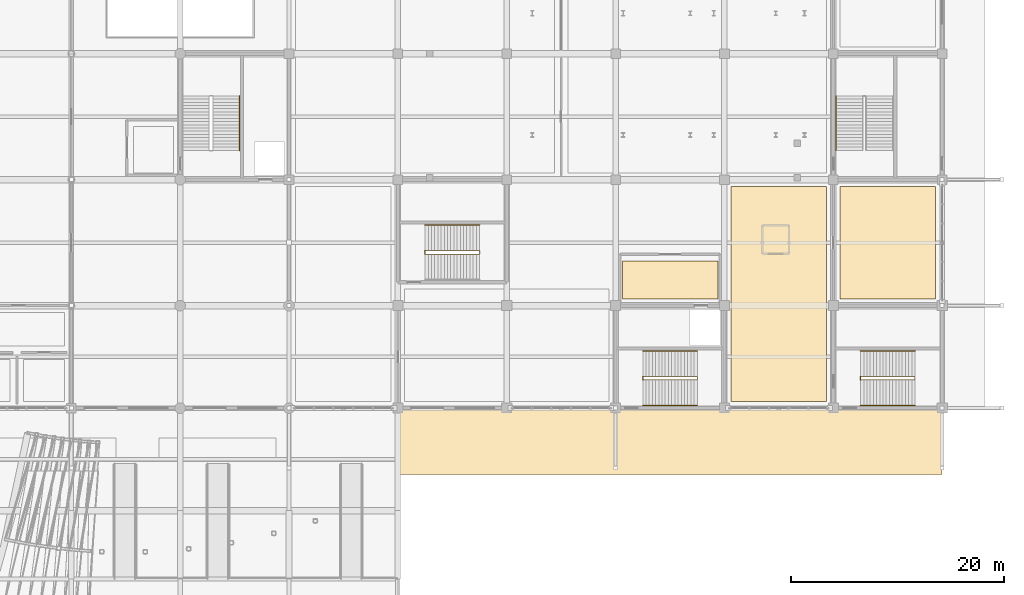
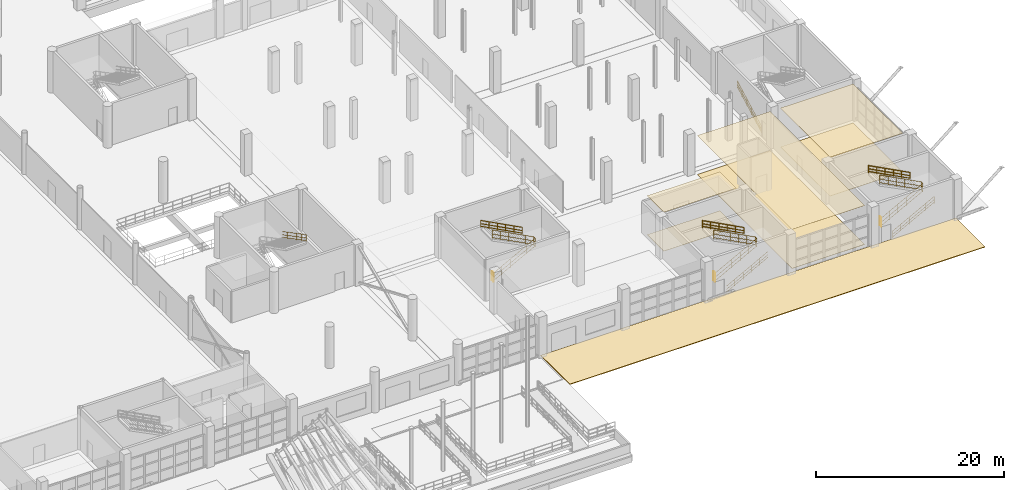
# One storey, part 118 of 124: 13 railings, 7 coverings.
"""IFC4 building model written with IfcOpenShell, lengths in metres."""

from ifc_helpers import new_model, si_unit, direction, frame, origin, origin_2d, place, context, subcontext, project, spatial, polyline, circle, outline, extrude, material, layer, layer_set, type_object, element, save


model = new_model("IFC4")

# Units and contexts
model_context = context("Model", 3, precision=1e-05, world=origin(), true_north=direction((0.0, 1.0)))
body_context = subcontext(model_context, "Body", "Model", "MODEL_VIEW")
ifc_project = project(units=[si_unit("LENGTHUNIT", "METRE"), si_unit("AREAUNIT", "SQUARE_METRE"), si_unit("VOLUMEUNIT", "CUBIC_METRE"), si_unit("PLANEANGLEUNIT", "RADIAN"), si_unit("MASSUNIT", "GRAM", prefix="KILO")], contexts=[model_context])

# Site, building, storey
site_placement = place(None, origin())
site = spatial("IfcSite", under=ifc_project, at=site_placement, CompositionType="ELEMENT")
building_placement = place(site_placement, origin())
building = spatial("IfcBuilding", under=site, at=building_placement, Name="Brelvane Convention Centre", CompositionType="ELEMENT")
storey_placement = place(building_placement, origin())
storey = spatial("IfcBuildingStorey", under=building, at=storey_placement, Name="L00", CompositionType="ELEMENT", Elevation=0.0)

# Coverings
ifc_material_1 = material(Name="Moisture-Resistant Acoustic Gypsum Ceiling Tile Grade A")
ifc_layer_1 = layer(ifc_material_1, 0.01806640625)
ifc_layer_set_1 = layer_set([ifc_layer_1], Name="Moisture-Resistant Acoustic Gypsum Ceiling Tile Grade A")
covering_type_1 = type_object("IfcCoveringType", Name="Interior Finish CL-GYP-18", PredefinedType="CEILING", material=ifc_layer_set_1)
covering_1_placement = place(storey_placement, frame((0.0, 0.0, 5.06201171875)))
element("IfcCovering", 1, at=covering_1_placement, inside=storey, type_object=covering_type_1, Name="Firefighting Lift Lobby C8 Acoustic Ceiling (CL-GYP-18)", PredefinedType="CEILING", context=body_context, shape_type="SweptSolid", body=[
    extrude(outline(polyline([(194.429931640625, 29.429931640625), (203.3701171875, 29.429931640625), (203.3701171875, 32.969970703125), (194.429931640625, 32.969970703125), (194.429931640625, 29.429931640625)])), origin(), (0.0, 0.0, 1.0), 0.01806640625),
])
ifc_material_2 = material(Name="Moisture-Resistant Acoustic Gypsum Ceiling Tile Grade A")
ifc_layer_2 = layer(ifc_material_2, 0.02490234375)
ifc_layer_set_2 = layer_set([ifc_layer_2], Name="Moisture-Resistant Acoustic Gypsum Ceiling Tile Grade A")
covering_type_2 = type_object("IfcCoveringType", Name="Interior Finish CL-GYP-25", PredefinedType="CEILING", material=ifc_layer_set_2)
covering_2_placement = place(storey_placement, frame((0.0, 0.0, 5.054931640625)))
element("IfcCovering", 2, at=covering_2_placement, inside=storey, type_object=covering_type_2, Name="Business Centre Concierge Hall Acoustic Ceiling (CL-GYP-25)", PredefinedType="CEILING", context=body_context, shape_type="SweptSolid", body=[
    extrude(outline(polyline([(204.6298828125, 19.830078125), (213.570068359375, 19.830078125), (213.570068359375, 39.969970703125), (204.6298828125, 39.969970703125), (204.6298828125, 19.830078125)])), origin(), (0.0, 0.0, 1.0), 0.025146484375),
])
ifc_material_3 = material(Name="Moisture-Resistant Acoustic Gypsum Ceiling Tile Grade A")
ifc_layer_3 = layer(ifc_material_3, 0.033935546875)
ifc_layer_set_3 = layer_set([ifc_layer_3], Name="Moisture-Resistant Acoustic Gypsum Ceiling Tile Grade A")
covering_type_3 = type_object("IfcCoveringType", Name="Interior Finish CL-GYP-34", PredefinedType="CEILING", material=ifc_layer_set_3)
covering_3_placement = place(storey_placement, frame((0.0, 0.0, 5.0458984375)))
element("IfcCovering", 3, at=covering_3_placement, inside=storey, type_object=covering_type_3, Name="Convention Bookshop and Pharmacy Acoustic Ceiling (CL-GYP-34)", PredefinedType="CEILING", context=body_context, shape_type="SweptSolid", body=[
    extrude(outline(polyline([(214.830078125, 29.429931640625), (223.77001953125, 29.429931640625), (223.77001953125, 39.969970703125), (214.830078125, 39.969970703125), (214.830078125, 29.429931640625)])), origin(), (0.0, 0.0, 1.0), 0.0341796875),
])
ifc_material_4 = material(Name="Solution-Dyed Heavy Contract Wool Carpet Class 1")
ifc_layer_4 = layer(ifc_material_4, 0.02197265625)
ifc_layer_set_4 = layer_set([ifc_layer_4], Name="Solution-Dyed Heavy Contract Wool Carpet Class 1")
covering_type_4 = type_object("IfcCoveringType", Name="Interior Finish FL-CPT-22", PredefinedType="FLOORING", material=ifc_layer_set_4)
covering_4_placement = place(storey_placement, origin())
element("IfcCovering", 4, at=covering_4_placement, inside=storey, type_object=covering_type_4, Name="Firefighting Lift Lobby C8 Floor Finish (FL-CPT-22)", PredefinedType="FLOORING", context=body_context, shape_type="SweptSolid", body=[
    extrude(outline(polyline([(194.429931640625, 29.429931640625), (203.3701171875, 29.429931640625), (203.3701171875, 32.969970703125), (194.429931640625, 32.969970703125), (194.429931640625, 29.429931640625)])), origin(), (0.0, 0.0, 1.0), 0.02197265625),
])
ifc_material_5 = material(Name="Solution-Dyed Heavy Contract Wool Carpet Class 1")
ifc_layer_5 = layer(ifc_material_5, 0.028076171875)
ifc_layer_set_5 = layer_set([ifc_layer_5], Name="Solution-Dyed Heavy Contract Wool Carpet Class 1")
covering_type_5 = type_object("IfcCoveringType", Name="Interior Finish FL-CPT-28", PredefinedType="FLOORING", material=ifc_layer_set_5)
covering_5_placement = place(storey_placement, origin())
element("IfcCovering", 5, at=covering_5_placement, inside=storey, type_object=covering_type_5, Name="Business Centre Concierge Hall Floor Finish (FL-CPT-28)", PredefinedType="FLOORING", context=body_context, shape_type="SweptSolid", body=[
    extrude(outline(polyline([(204.6298828125, 19.830078125), (213.570068359375, 19.830078125), (213.570068359375, 39.969970703125), (204.6298828125, 39.969970703125), (204.6298828125, 19.830078125)])), origin(), (0.0, 0.0, 1.0), 0.028076171875),
])
ifc_material_6 = material(Name="Polished Basalt-Aggregate Terrazzo Screed Concrete M30", Category="masonry")
ifc_layer_6 = layer(ifc_material_6, 0.031982421875)
ifc_layer_set_6 = layer_set([ifc_layer_6], Name="Polished Basalt-Aggregate Terrazzo Screed Concrete M30")
covering_type_6 = type_object("IfcCoveringType", Name="Interior Finish FL-STN-32", PredefinedType="FLOORING", material=ifc_layer_set_6)
covering_6_placement = place(storey_placement, origin())
element("IfcCovering", 6, at=covering_6_placement, inside=storey, type_object=covering_type_6, Name="Convention Bookshop and Pharmacy Floor Finish (FL-STN-32)", PredefinedType="FLOORING", context=body_context, shape_type="SweptSolid", body=[
    extrude(outline(polyline([(214.830078125, 29.429931640625), (223.77001953125, 29.429931640625), (223.77001953125, 39.969970703125), (214.830078125, 39.969970703125), (214.830078125, 29.429931640625)])), origin(), (0.0, 0.0, 1.0), 0.031982421875),
])
ifc_material_7 = material(Name="Concrete M40", Category="concrete")
ifc_layer_7 = layer(ifc_material_7, 0.080078125)
ifc_layer_set_7 = layer_set([ifc_layer_7], Name="Concrete M40")
covering_type_7 = type_object("IfcCoveringType", Name="Outdoor Plaza Paving PV-80", PredefinedType="USERDEFINED", material=ifc_layer_set_7)
covering_7_placement = place(storey_placement, origin())
element("IfcCovering", 7, at=covering_7_placement, inside=storey, type_object=covering_type_7, Name="Outdoor Arrival Plaza Paving SOUTH-FORECOURT-E", ObjectType="PAVING", PredefinedType="USERDEFINED", context=body_context, shape_type="SweptSolid", body=[
    extrude(outline(polyline([(173.39990234375, 13.0), (224.39990234375, 13.0), (224.39990234375, 19.199951171875), (173.39990234375, 19.199951171875), (173.39990234375, 13.0)])), origin(), (0.0, 0.0, 1.0), 0.080078125),
])

# Railings
ifc_material_8 = material(Name="Steel E350 (350 MPa)", Category="steel")
railing_type_1 = type_object("IfcRailingType", Name="Stair Railing GR-ST-1", PredefinedType="GUARDRAIL", material=ifc_material_8)
railing_1_placement = place(storey_placement, frame((196.35009765625, 21.840087890625, -0.02001953125)))
element("IfcRailing", 8, at=railing_1_placement, inside=storey, type_object=railing_type_1, Name="Stair ST-08 L00 Inner Well Guard", PredefinedType="GUARDRAIL", context=body_context, shape_type="SweptSolid", body=[
    extrude(circle(Radius=0.02392578125, at=origin_2d()), frame((0.0, 0.0, 1.1259765625), z_axis=(0.88234943334, 0.0, 0.470594812429), x_axis=(0.0, 1.0, 0.0)), (0.0, 0.0, 1.0), 5.77978515625),
    extrude(circle(Radius=0.02392578125, at=origin_2d()), frame((0.0, 0.0, 0.597900390625), z_axis=(0.88234943334, 0.0, 0.470594812429), x_axis=(0.0, 1.0, 0.0)), (0.0, 0.0, 1.0), 5.77978515625),
    extrude(circle(Radius=0.02392578125, at=origin_2d()), frame((0.0, 0.0, 0.139892578125), z_axis=(0.88234943334, 0.0, 0.470594812429), x_axis=(0.0, 1.0, 0.0)), (0.0, 0.0, 1.0), 5.77978515625),
    extrude(circle(Radius=0.02392578125, at=origin_2d()), frame((5.099853515625, 0.0, 3.845947265625), z_axis=(0.0, 1.0, 0.0), x_axis=(-1.0, 0.0, 0.0)), (0.0, 0.0, 1.0), 0.31982421875),
    extrude(circle(Radius=0.02392578125, at=origin_2d()), frame((5.099853515625, 0.0, 3.31787109375), z_axis=(0.0, 1.0, 0.0), x_axis=(-1.0, 0.0, 0.0)), (0.0, 0.0, 1.0), 0.31982421875),
    extrude(circle(Radius=0.02392578125, at=origin_2d()), frame((5.099853515625, 0.0, 2.85986328125), z_axis=(0.0, 1.0, 0.0), x_axis=(-1.0, 0.0, 0.0)), (0.0, 0.0, 1.0), 0.31982421875),
    extrude(circle(Radius=0.02392578125, at=origin_2d()), frame((5.099853515625, 0.31982421875, 3.845947265625), z_axis=(-0.885218631674, 0.0, 0.465175207999), x_axis=(0.0, -1.0, 0.0)), (0.0, 0.0, 1.0), 5.76123046875),
    extrude(circle(Radius=0.02392578125, at=origin_2d()), frame((5.099853515625, 0.31982421875, 3.31787109375), z_axis=(-0.885218631674, 0.0, 0.465175207999), x_axis=(0.0, -1.0, 0.0)), (0.0, 0.0, 1.0), 5.76123046875),
    extrude(circle(Radius=0.02392578125, at=origin_2d()), frame((5.099853515625, 0.31982421875, 2.85986328125), z_axis=(-0.885218631674, 0.0, 0.465175207999), x_axis=(0.0, -1.0, 0.0)), (0.0, 0.0, 1.0), 5.76123046875),
    extrude(circle(Radius=0.02099609375, at=origin_2d()), origin(), (0.0, 0.0, 1.0), 1.101806640625),
    extrude(circle(Radius=0.02099609375, at=origin_2d()), frame((1.02001953125, 0.0, 0.5439453125)), (0.0, 0.0, 1.0), 1.101806640625),
    extrude(circle(Radius=0.02099609375, at=origin_2d()), frame((2.0400390625, 0.0, 1.087890625)), (0.0, 0.0, 1.0), 1.101806640625),
    extrude(circle(Radius=0.02099609375, at=origin_2d()), frame((3.059814453125, 0.0, 1.632080078125)), (0.0, 0.0, 1.0), 1.101806640625),
    extrude(circle(Radius=0.02099609375, at=origin_2d()), frame((4.079833984375, 0.0, 2.176025390625)), (0.0, 0.0, 1.0), 1.101806640625),
    extrude(circle(Radius=0.02099609375, at=origin_2d()), frame((5.099853515625, 0.0, 2.719970703125)), (0.0, 0.0, 1.0), 1.101806640625),
    extrude(circle(Radius=0.02099609375, at=origin_2d()), frame((5.099853515625, 0.31982421875, 2.719970703125)), (0.0, 0.0, 1.0), 1.101806640625),
    extrude(circle(Radius=0.02099609375, at=origin_2d()), frame((4.079833984375, 0.31982421875, 3.255859375)), (0.0, 0.0, 1.0), 1.101806640625),
    extrude(circle(Radius=0.02099609375, at=origin_2d()), frame((3.059814453125, 0.31982421875, 3.7919921875)), (0.0, 0.0, 1.0), 1.101806640625),
    extrude(circle(Radius=0.02099609375, at=origin_2d()), frame((2.0400390625, 0.31982421875, 4.327880859375)), (0.0, 0.0, 1.0), 1.101806640625),
    extrude(circle(Radius=0.02099609375, at=origin_2d()), frame((1.02001953125, 0.31982421875, 4.864013671875)), (0.0, 0.0, 1.0), 1.101806640625),
    extrude(circle(Radius=0.02099609375, at=origin_2d()), frame((0.0, 0.31982421875, 5.39990234375)), (0.0, 0.0, 1.0), 1.101806640625),
])
railing_2_placement = place(storey_placement, frame((216.75, 21.840087890625, -0.02001953125)))
element("IfcRailing", 9, at=railing_2_placement, inside=storey, type_object=railing_type_1, Name="Stair ST-14 L00 Inner Well Guard", PredefinedType="GUARDRAIL", context=body_context, shape_type="SweptSolid", body=[
    extrude(circle(Radius=0.02392578125, at=origin_2d()), frame((0.0, 0.0, 1.1259765625), z_axis=(0.882358787245, 0.0, 0.470577273753), x_axis=(0.0, 1.0, 0.0)), (0.0, 0.0, 1.0), 5.780029296875),
    extrude(circle(Radius=0.02392578125, at=origin_2d()), frame((0.0, 0.0, 0.597900390625), z_axis=(0.882358787245, 0.0, 0.470577273753), x_axis=(0.0, 1.0, 0.0)), (0.0, 0.0, 1.0), 5.780029296875),
    extrude(circle(Radius=0.02392578125, at=origin_2d()), frame((0.0, 0.0, 0.139892578125), z_axis=(0.882358787245, 0.0, 0.470577273753), x_axis=(0.0, 1.0, 0.0)), (0.0, 0.0, 1.0), 5.780029296875),
    extrude(circle(Radius=0.02392578125, at=origin_2d()), frame((5.10009765625, 0.0, 3.845947265625), z_axis=(0.0, 1.0, 0.0), x_axis=(-1.0, 0.0, 0.0)), (0.0, 0.0, 1.0), 0.31982421875),
    extrude(circle(Radius=0.02392578125, at=origin_2d()), frame((5.10009765625, 0.0, 3.31787109375), z_axis=(0.0, 1.0, 0.0), x_axis=(-1.0, 0.0, 0.0)), (0.0, 0.0, 1.0), 0.31982421875),
    extrude(circle(Radius=0.02392578125, at=origin_2d()), frame((5.10009765625, 0.0, 2.85986328125), z_axis=(0.0, 1.0, 0.0), x_axis=(-1.0, 0.0, 0.0)), (0.0, 0.0, 1.0), 0.31982421875),
    extrude(circle(Radius=0.02392578125, at=origin_2d()), frame((5.10009765625, 0.31982421875, 3.845947265625), z_axis=(-0.885227801088, 0.0, 0.465157758379), x_axis=(0.0, -1.0, 0.0)), (0.0, 0.0, 1.0), 5.76123046875),
    extrude(circle(Radius=0.02392578125, at=origin_2d()), frame((5.10009765625, 0.31982421875, 3.31787109375), z_axis=(-0.885227801088, 0.0, 0.465157758379), x_axis=(0.0, -1.0, 0.0)), (0.0, 0.0, 1.0), 5.76123046875),
    extrude(circle(Radius=0.02392578125, at=origin_2d()), frame((5.10009765625, 0.31982421875, 2.85986328125), z_axis=(-0.885227801088, 0.0, 0.465157758379), x_axis=(0.0, -1.0, 0.0)), (0.0, 0.0, 1.0), 5.76123046875),
    extrude(circle(Radius=0.02099609375, at=origin_2d()), origin(), (0.0, 0.0, 1.0), 1.101806640625),
    extrude(circle(Radius=0.02099609375, at=origin_2d()), frame((1.02001953125, 0.0, 0.5439453125)), (0.0, 0.0, 1.0), 1.101806640625),
    extrude(circle(Radius=0.02099609375, at=origin_2d()), frame((2.0400390625, 0.0, 1.087890625)), (0.0, 0.0, 1.0), 1.101806640625),
    extrude(circle(Radius=0.02099609375, at=origin_2d()), frame((3.06005859375, 0.0, 1.632080078125)), (0.0, 0.0, 1.0), 1.101806640625),
    extrude(circle(Radius=0.02099609375, at=origin_2d()), frame((4.080078125, 0.0, 2.176025390625)), (0.0, 0.0, 1.0), 1.101806640625),
    extrude(circle(Radius=0.02099609375, at=origin_2d()), frame((5.10009765625, 0.0, 2.719970703125)), (0.0, 0.0, 1.0), 1.101806640625),
    extrude(circle(Radius=0.02099609375, at=origin_2d()), frame((5.10009765625, 0.31982421875, 2.719970703125)), (0.0, 0.0, 1.0), 1.101806640625),
    extrude(circle(Radius=0.02099609375, at=origin_2d()), frame((4.080078125, 0.31982421875, 3.255859375)), (0.0, 0.0, 1.0), 1.101806640625),
    extrude(circle(Radius=0.02099609375, at=origin_2d()), frame((3.06005859375, 0.31982421875, 3.7919921875)), (0.0, 0.0, 1.0), 1.101806640625),
    extrude(circle(Radius=0.02099609375, at=origin_2d()), frame((2.0400390625, 0.31982421875, 4.327880859375)), (0.0, 0.0, 1.0), 1.101806640625),
    extrude(circle(Radius=0.02099609375, at=origin_2d()), frame((1.02001953125, 0.31982421875, 4.864013671875)), (0.0, 0.0, 1.0), 1.101806640625),
    extrude(circle(Radius=0.02099609375, at=origin_2d()), frame((0.0, 0.31982421875, 5.39990234375)), (0.0, 0.0, 1.0), 1.101806640625),
])
railing_3_placement = place(storey_placement, frame((175.949951171875, 33.639892578125, -0.02001953125)))
element("IfcRailing", 10, at=railing_3_placement, inside=storey, type_object=railing_type_1, Name="Stair ST-18 L00 Inner Well Guard", PredefinedType="GUARDRAIL", context=body_context, shape_type="SweptSolid", body=[
    extrude(circle(Radius=0.02392578125, at=origin_2d()), frame((0.0, 0.0, 1.1259765625), z_axis=(0.882358787245, 0.0, 0.470577273753), x_axis=(0.0, 1.0, 0.0)), (0.0, 0.0, 1.0), 5.780029296875),
    extrude(circle(Radius=0.02392578125, at=origin_2d()), frame((0.0, 0.0, 0.597900390625), z_axis=(0.882358787245, 0.0, 0.470577273753), x_axis=(0.0, 1.0, 0.0)), (0.0, 0.0, 1.0), 5.780029296875),
    extrude(circle(Radius=0.02392578125, at=origin_2d()), frame((0.0, 0.0, 0.139892578125), z_axis=(0.882358787245, 0.0, 0.470577273753), x_axis=(0.0, 1.0, 0.0)), (0.0, 0.0, 1.0), 5.780029296875),
    extrude(circle(Radius=0.02392578125, at=origin_2d()), frame((5.10009765625, 0.0, 3.845947265625), z_axis=(0.0, 1.0, 0.0), x_axis=(-1.0, 0.0, 0.0)), (0.0, 0.0, 1.0), 0.320068359375),
    extrude(circle(Radius=0.02392578125, at=origin_2d()), frame((5.10009765625, 0.0, 3.31787109375), z_axis=(0.0, 1.0, 0.0), x_axis=(-1.0, 0.0, 0.0)), (0.0, 0.0, 1.0), 0.320068359375),
    extrude(circle(Radius=0.02392578125, at=origin_2d()), frame((5.10009765625, 0.0, 2.85986328125), z_axis=(0.0, 1.0, 0.0), x_axis=(-1.0, 0.0, 0.0)), (0.0, 0.0, 1.0), 0.320068359375),
    extrude(circle(Radius=0.02392578125, at=origin_2d()), frame((5.10009765625, 0.320068359375, 3.845947265625), z_axis=(-0.885227801088, 0.0, 0.465157758379), x_axis=(0.0, -1.0, 0.0)), (0.0, 0.0, 1.0), 5.76123046875),
    extrude(circle(Radius=0.02392578125, at=origin_2d()), frame((5.10009765625, 0.320068359375, 3.31787109375), z_axis=(-0.885227801088, 0.0, 0.465157758379), x_axis=(0.0, -1.0, 0.0)), (0.0, 0.0, 1.0), 5.76123046875),
    extrude(circle(Radius=0.02392578125, at=origin_2d()), frame((5.10009765625, 0.320068359375, 2.85986328125), z_axis=(-0.885227801088, 0.0, 0.465157758379), x_axis=(0.0, -1.0, 0.0)), (0.0, 0.0, 1.0), 5.76123046875),
    extrude(circle(Radius=0.02099609375, at=origin_2d()), origin(), (0.0, 0.0, 1.0), 1.101806640625),
    extrude(circle(Radius=0.02099609375, at=origin_2d()), frame((1.02001953125, 0.0, 0.5439453125)), (0.0, 0.0, 1.0), 1.101806640625),
    extrude(circle(Radius=0.02099609375, at=origin_2d()), frame((2.0400390625, 0.0, 1.087890625)), (0.0, 0.0, 1.0), 1.101806640625),
    extrude(circle(Radius=0.02099609375, at=origin_2d()), frame((3.06005859375, 0.0, 1.632080078125)), (0.0, 0.0, 1.0), 1.101806640625),
    extrude(circle(Radius=0.02099609375, at=origin_2d()), frame((4.080078125, 0.0, 2.176025390625)), (0.0, 0.0, 1.0), 1.101806640625),
    extrude(circle(Radius=0.02099609375, at=origin_2d()), frame((5.10009765625, 0.0, 2.719970703125)), (0.0, 0.0, 1.0), 1.101806640625),
    extrude(circle(Radius=0.02099609375, at=origin_2d()), frame((5.10009765625, 0.320068359375, 2.719970703125)), (0.0, 0.0, 1.0), 1.101806640625),
    extrude(circle(Radius=0.02099609375, at=origin_2d()), frame((4.080078125, 0.320068359375, 3.255859375)), (0.0, 0.0, 1.0), 1.101806640625),
    extrude(circle(Radius=0.02099609375, at=origin_2d()), frame((3.06005859375, 0.320068359375, 3.7919921875)), (0.0, 0.0, 1.0), 1.101806640625),
    extrude(circle(Radius=0.02099609375, at=origin_2d()), frame((2.0400390625, 0.320068359375, 4.327880859375)), (0.0, 0.0, 1.0), 1.101806640625),
    extrude(circle(Radius=0.02099609375, at=origin_2d()), frame((1.02001953125, 0.320068359375, 4.864013671875)), (0.0, 0.0, 1.0), 1.101806640625),
    extrude(circle(Radius=0.02099609375, at=origin_2d()), frame((0.0, 0.320068359375, 5.39990234375)), (0.0, 0.0, 1.0), 1.101806640625),
])
ifc_material_9 = material(Name="Steel E350 (350 MPa)", Category="steel")
railing_type_2 = type_object("IfcRailingType", Name="Stair Railing GR-ST-2", PredefinedType="GUARDRAIL", material=ifc_material_9)
for number, where, name in (
    (11, (196.35009765625, 21.840087890625, -0.02001953125), "Stair ST-08 L00 Landing Well Guard"),
    (12, (216.75, 21.840087890625, -0.02001953125), "Stair ST-14 L00 Landing Well Guard"),
):
    element("IfcRailing", number, at=place(storey_placement, frame(where)), inside=storey, type_object=railing_type_2, Name=name, PredefinedType="GUARDRAIL", context=body_context, shape_type="SweptSolid", body=[
        extrude(circle(Radius=0.02392578125, at=origin_2d()), frame((0.0, 0.0, 1.15576171875), z_axis=(0.0, 1.0, 0.0), x_axis=(-1.0, 0.0, 0.0)), (0.0, 0.0, 1.0), 0.31982421875),
        extrude(circle(Radius=0.02392578125, at=origin_2d()), frame((0.0, 0.0, 0.613525390625), z_axis=(0.0, 1.0, 0.0), x_axis=(-1.0, 0.0, 0.0)), (0.0, 0.0, 1.0), 0.31982421875),
        extrude(circle(Radius=0.02392578125, at=origin_2d()), frame((0.0, 0.0, 0.139892578125), z_axis=(0.0, 1.0, 0.0), x_axis=(-1.0, 0.0, 0.0)), (0.0, 0.0, 1.0), 0.31982421875),
        extrude(circle(Radius=0.02099609375, at=origin_2d()), origin(), (0.0, 0.0, 1.0), 1.1318359375),
        extrude(circle(Radius=0.02099609375, at=origin_2d()), frame((0.0, 0.31982421875, 0.0)), (0.0, 0.0, 1.0), 1.1318359375),
    ])
railing_4_placement = place(storey_placement, frame((175.949951171875, 33.639892578125, -0.02001953125)))
element("IfcRailing", 13, at=railing_4_placement, inside=storey, type_object=railing_type_2, Name="Stair ST-18 L00 Landing Well Guard", PredefinedType="GUARDRAIL", context=body_context, shape_type="SweptSolid", body=[
    extrude(circle(Radius=0.02392578125, at=origin_2d()), frame((0.0, 0.0, 1.15576171875), z_axis=(0.0, 1.0, 0.0), x_axis=(-1.0, 0.0, 0.0)), (0.0, 0.0, 1.0), 0.320068359375),
    extrude(circle(Radius=0.02392578125, at=origin_2d()), frame((0.0, 0.0, 0.613525390625), z_axis=(0.0, 1.0, 0.0), x_axis=(-1.0, 0.0, 0.0)), (0.0, 0.0, 1.0), 0.320068359375),
    extrude(circle(Radius=0.02392578125, at=origin_2d()), frame((0.0, 0.0, 0.139892578125), z_axis=(0.0, 1.0, 0.0), x_axis=(-1.0, 0.0, 0.0)), (0.0, 0.0, 1.0), 0.320068359375),
    extrude(circle(Radius=0.02099609375, at=origin_2d()), origin(), (0.0, 0.0, 1.0), 1.1318359375),
    extrude(circle(Radius=0.02099609375, at=origin_2d()), frame((0.0, 0.320068359375, 0.0)), (0.0, 0.0, 1.0), 1.1318359375),
])
ifc_material_10 = material(Name="Steel E350 (350 MPa)", Category="steel")
railing_type_3 = type_object("IfcRailingType", Name="Stair Railing HR-ST-1", PredefinedType="HANDRAIL", material=ifc_material_10)
railing_5_placement = place(storey_placement, frame((158.570068359375, 48.449951171875, 2.699951171875)))
element("IfcRailing", 14, at=railing_5_placement, inside=storey, type_object=railing_type_3, Name="Stair ST-03 L00 Outer Handrail F2", PredefinedType="HANDRAIL", context=body_context, shape_type="SweptSolid", body=[
    extrude(circle(Radius=0.02392578125, at=origin_2d()), frame((0.0, 0.0, 0.89599609375), z_axis=(0.0, -0.885218631674, 0.465175207999), x_axis=(1.0, 0.0, 0.0)), (0.0, 0.0, 1.0), 5.76123046875),
    extrude(circle(Radius=0.02392578125, at=origin_2d()), frame((0.0, 0.0, 0.478271484375), z_axis=(0.0, -0.885218631674, 0.465175207999), x_axis=(1.0, 0.0, 0.0)), (0.0, 0.0, 1.0), 5.76123046875),
    extrude(circle(Radius=0.02392578125, at=origin_2d()), frame((0.0, 0.0, 0.139892578125), z_axis=(0.0, -0.885218631674, 0.465175207999), x_axis=(1.0, 0.0, 0.0)), (0.0, 0.0, 1.0), 5.76123046875),
    extrude(circle(Radius=0.02099609375, at=origin_2d()), origin(), (0.0, 0.0, 1.0), 0.871826171875),
    extrude(circle(Radius=0.02099609375, at=origin_2d()), frame((0.0, -1.02001953125, 0.535888671875)), (0.0, 0.0, 1.0), 0.871826171875),
    extrude(circle(Radius=0.02099609375, at=origin_2d()), frame((0.0, -2.0400390625, 1.072021484375)), (0.0, 0.0, 1.0), 0.871826171875),
    extrude(circle(Radius=0.02099609375, at=origin_2d()), frame((0.0, -3.059814453125, 1.60791015625)), (0.0, 0.0, 1.0), 0.871826171875),
    extrude(circle(Radius=0.02099609375, at=origin_2d()), frame((0.0, -4.079833984375, 2.14404296875)), (0.0, 0.0, 1.0), 0.871826171875),
    extrude(circle(Radius=0.02099609375, at=origin_2d()), frame((0.0, -5.099853515625, 2.679931640625)), (0.0, 0.0, 1.0), 0.871826171875),
])
railing_6_placement = place(storey_placement, frame((196.35009765625, 19.429931640625, -0.02001953125)))
element("IfcRailing", 15, at=railing_6_placement, inside=storey, type_object=railing_type_3, Name="Stair ST-08 L00 Outer Handrail F1", PredefinedType="HANDRAIL", context=body_context, shape_type="SweptSolid", body=[
    extrude(circle(Radius=0.02392578125, at=origin_2d()), frame((0.0, 0.0, 0.89599609375), z_axis=(0.88234943334, 0.0, 0.470594812429), x_axis=(0.0, 1.0, 0.0)), (0.0, 0.0, 1.0), 5.77978515625),
    extrude(circle(Radius=0.02392578125, at=origin_2d()), frame((0.0, 0.0, 0.478271484375), z_axis=(0.88234943334, 0.0, 0.470594812429), x_axis=(0.0, 1.0, 0.0)), (0.0, 0.0, 1.0), 5.77978515625),
    extrude(circle(Radius=0.02392578125, at=origin_2d()), frame((0.0, 0.0, 0.139892578125), z_axis=(0.88234943334, 0.0, 0.470594812429), x_axis=(0.0, 1.0, 0.0)), (0.0, 0.0, 1.0), 5.77978515625),
    extrude(circle(Radius=0.02099609375, at=origin_2d()), origin(), (0.0, 0.0, 1.0), 0.871826171875),
    extrude(circle(Radius=0.02099609375, at=origin_2d()), frame((1.02001953125, 0.0, 0.5439453125)), (0.0, 0.0, 1.0), 0.871826171875),
    extrude(circle(Radius=0.02099609375, at=origin_2d()), frame((2.0400390625, 0.0, 1.087890625)), (0.0, 0.0, 1.0), 0.871826171875),
    extrude(circle(Radius=0.02099609375, at=origin_2d()), frame((3.059814453125, 0.0, 1.632080078125)), (0.0, 0.0, 1.0), 0.871826171875),
    extrude(circle(Radius=0.02099609375, at=origin_2d()), frame((4.079833984375, 0.0, 2.176025390625)), (0.0, 0.0, 1.0), 0.871826171875),
    extrude(circle(Radius=0.02099609375, at=origin_2d()), frame((5.099853515625, 0.0, 2.719970703125)), (0.0, 0.0, 1.0), 0.871826171875),
])
railing_7_placement = place(storey_placement, frame((201.449951171875, 24.570068359375, 2.699951171875)))
element("IfcRailing", 16, at=railing_7_placement, inside=storey, type_object=railing_type_3, Name="Stair ST-08 L00 Outer Handrail F2", PredefinedType="HANDRAIL", context=body_context, shape_type="SweptSolid", body=[
    extrude(circle(Radius=0.02392578125, at=origin_2d()), frame((0.0, 0.0, 0.89599609375), z_axis=(-0.885218631674, 0.0, 0.465175207999), x_axis=(0.0, -1.0, 0.0)), (0.0, 0.0, 1.0), 5.76123046875),
    extrude(circle(Radius=0.02392578125, at=origin_2d()), frame((0.0, 0.0, 0.478271484375), z_axis=(-0.885218631674, 0.0, 0.465175207999), x_axis=(0.0, -1.0, 0.0)), (0.0, 0.0, 1.0), 5.76123046875),
    extrude(circle(Radius=0.02392578125, at=origin_2d()), frame((0.0, 0.0, 0.139892578125), z_axis=(-0.885218631674, 0.0, 0.465175207999), x_axis=(0.0, -1.0, 0.0)), (0.0, 0.0, 1.0), 5.76123046875),
    extrude(circle(Radius=0.02099609375, at=origin_2d()), origin(), (0.0, 0.0, 1.0), 0.871826171875),
    extrude(circle(Radius=0.02099609375, at=origin_2d()), frame((-1.02001953125, 0.0, 0.535888671875)), (0.0, 0.0, 1.0), 0.871826171875),
    extrude(circle(Radius=0.02099609375, at=origin_2d()), frame((-2.0400390625, 0.0, 1.072021484375)), (0.0, 0.0, 1.0), 0.871826171875),
    extrude(circle(Radius=0.02099609375, at=origin_2d()), frame((-3.059814453125, 0.0, 1.60791015625)), (0.0, 0.0, 1.0), 0.871826171875),
    extrude(circle(Radius=0.02099609375, at=origin_2d()), frame((-4.079833984375, 0.0, 2.14404296875)), (0.0, 0.0, 1.0), 0.871826171875),
    extrude(circle(Radius=0.02099609375, at=origin_2d()), frame((-5.099853515625, 0.0, 2.679931640625)), (0.0, 0.0, 1.0), 0.871826171875),
])
railing_8_placement = place(storey_placement, frame((216.75, 19.429931640625, -0.02001953125)))
element("IfcRailing", 17, at=railing_8_placement, inside=storey, type_object=railing_type_3, Name="Stair ST-14 L00 Outer Handrail F1", PredefinedType="HANDRAIL", context=body_context, shape_type="SweptSolid", body=[
    extrude(circle(Radius=0.02392578125, at=origin_2d()), frame((0.0, 0.0, 0.89599609375), z_axis=(0.882358787245, 0.0, 0.470577273753), x_axis=(0.0, 1.0, 0.0)), (0.0, 0.0, 1.0), 5.780029296875),
    extrude(circle(Radius=0.02392578125, at=origin_2d()), frame((0.0, 0.0, 0.478271484375), z_axis=(0.882358787245, 0.0, 0.470577273753), x_axis=(0.0, 1.0, 0.0)), (0.0, 0.0, 1.0), 5.780029296875),
    extrude(circle(Radius=0.02392578125, at=origin_2d()), frame((0.0, 0.0, 0.139892578125), z_axis=(0.882358787245, 0.0, 0.470577273753), x_axis=(0.0, 1.0, 0.0)), (0.0, 0.0, 1.0), 5.780029296875),
    extrude(circle(Radius=0.02099609375, at=origin_2d()), origin(), (0.0, 0.0, 1.0), 0.871826171875),
    extrude(circle(Radius=0.02099609375, at=origin_2d()), frame((1.02001953125, 0.0, 0.5439453125)), (0.0, 0.0, 1.0), 0.871826171875),
    extrude(circle(Radius=0.02099609375, at=origin_2d()), frame((2.0400390625, 0.0, 1.087890625)), (0.0, 0.0, 1.0), 0.871826171875),
    extrude(circle(Radius=0.02099609375, at=origin_2d()), frame((3.06005859375, 0.0, 1.632080078125)), (0.0, 0.0, 1.0), 0.871826171875),
    extrude(circle(Radius=0.02099609375, at=origin_2d()), frame((4.080078125, 0.0, 2.176025390625)), (0.0, 0.0, 1.0), 0.871826171875),
    extrude(circle(Radius=0.02099609375, at=origin_2d()), frame((5.10009765625, 0.0, 2.719970703125)), (0.0, 0.0, 1.0), 0.871826171875),
])
railing_9_placement = place(storey_placement, frame((221.85009765625, 24.570068359375, 2.699951171875)))
element("IfcRailing", 18, at=railing_9_placement, inside=storey, type_object=railing_type_3, Name="Stair ST-14 L00 Outer Handrail F2", PredefinedType="HANDRAIL", context=body_context, shape_type="SweptSolid", body=[
    extrude(circle(Radius=0.02392578125, at=origin_2d()), frame((0.0, 0.0, 0.89599609375), z_axis=(-0.885227801088, 0.0, 0.465157758379), x_axis=(0.0, -1.0, 0.0)), (0.0, 0.0, 1.0), 5.76123046875),
    extrude(circle(Radius=0.02392578125, at=origin_2d()), frame((0.0, 0.0, 0.478271484375), z_axis=(-0.885227801088, 0.0, 0.465157758379), x_axis=(0.0, -1.0, 0.0)), (0.0, 0.0, 1.0), 5.76123046875),
    extrude(circle(Radius=0.02392578125, at=origin_2d()), frame((0.0, 0.0, 0.139892578125), z_axis=(-0.885227801088, 0.0, 0.465157758379), x_axis=(0.0, -1.0, 0.0)), (0.0, 0.0, 1.0), 5.76123046875),
    extrude(circle(Radius=0.02099609375, at=origin_2d()), origin(), (0.0, 0.0, 1.0), 0.871826171875),
    extrude(circle(Radius=0.02099609375, at=origin_2d()), frame((-1.02001953125, 0.0, 0.535888671875)), (0.0, 0.0, 1.0), 0.871826171875),
    extrude(circle(Radius=0.02099609375, at=origin_2d()), frame((-2.0400390625, 0.0, 1.072021484375)), (0.0, 0.0, 1.0), 0.871826171875),
    extrude(circle(Radius=0.02099609375, at=origin_2d()), frame((-3.06005859375, 0.0, 1.60791015625)), (0.0, 0.0, 1.0), 0.871826171875),
    extrude(circle(Radius=0.02099609375, at=origin_2d()), frame((-4.080078125, 0.0, 2.14404296875)), (0.0, 0.0, 1.0), 0.871826171875),
    extrude(circle(Radius=0.02099609375, at=origin_2d()), frame((-5.10009765625, 0.0, 2.679931640625)), (0.0, 0.0, 1.0), 0.871826171875),
])
railing_10_placement = place(storey_placement, frame((214.429931640625, 43.35009765625, -0.02001953125)))
element("IfcRailing", 19, at=railing_10_placement, inside=storey, type_object=railing_type_3, Name="Stair ST-15 L00 Outer Handrail F1", PredefinedType="HANDRAIL", context=body_context, shape_type="SweptSolid", body=[
    extrude(circle(Radius=0.02392578125, at=origin_2d()), frame((0.0, 0.0, 0.89599609375), z_axis=(0.0, 0.88234943334, 0.470594812429), x_axis=(-1.0, 0.0, 0.0)), (0.0, 0.0, 1.0), 5.77978515625),
    extrude(circle(Radius=0.02392578125, at=origin_2d()), frame((0.0, 0.0, 0.478271484375), z_axis=(0.0, 0.88234943334, 0.470594812429), x_axis=(-1.0, 0.0, 0.0)), (0.0, 0.0, 1.0), 5.77978515625),
    extrude(circle(Radius=0.02392578125, at=origin_2d()), frame((0.0, 0.0, 0.139892578125), z_axis=(0.0, 0.88234943334, 0.470594812429), x_axis=(-1.0, 0.0, 0.0)), (0.0, 0.0, 1.0), 5.77978515625),
    extrude(circle(Radius=0.02099609375, at=origin_2d()), origin(), (0.0, 0.0, 1.0), 0.871826171875),
    extrude(circle(Radius=0.02099609375, at=origin_2d()), frame((0.0, 1.02001953125, 0.5439453125)), (0.0, 0.0, 1.0), 0.871826171875),
    extrude(circle(Radius=0.02099609375, at=origin_2d()), frame((0.0, 2.0400390625, 1.087890625)), (0.0, 0.0, 1.0), 0.871826171875),
    extrude(circle(Radius=0.02099609375, at=origin_2d()), frame((0.0, 3.059814453125, 1.632080078125)), (0.0, 0.0, 1.0), 0.871826171875),
    extrude(circle(Radius=0.02099609375, at=origin_2d()), frame((0.0, 4.079833984375, 2.176025390625)), (0.0, 0.0, 1.0), 0.871826171875),
    extrude(circle(Radius=0.02099609375, at=origin_2d()), frame((0.0, 5.099853515625, 2.719970703125)), (0.0, 0.0, 1.0), 0.871826171875),
])
railing_11_placement = place(storey_placement, frame((181.050048828125, 36.3701171875, 2.699951171875)))
element("IfcRailing", 20, at=railing_11_placement, inside=storey, type_object=railing_type_3, Name="Stair ST-18 L00 Outer Handrail F2", PredefinedType="HANDRAIL", context=body_context, shape_type="SweptSolid", body=[
    extrude(circle(Radius=0.02392578125, at=origin_2d()), frame((0.0, 0.0, 0.89599609375), z_axis=(-0.885227801088, 0.0, 0.465157758379), x_axis=(0.0, -1.0, 0.0)), (0.0, 0.0, 1.0), 5.76123046875),
    extrude(circle(Radius=0.02392578125, at=origin_2d()), frame((0.0, 0.0, 0.478271484375), z_axis=(-0.885227801088, 0.0, 0.465157758379), x_axis=(0.0, -1.0, 0.0)), (0.0, 0.0, 1.0), 5.76123046875),
    extrude(circle(Radius=0.02392578125, at=origin_2d()), frame((0.0, 0.0, 0.139892578125), z_axis=(-0.885227801088, 0.0, 0.465157758379), x_axis=(0.0, -1.0, 0.0)), (0.0, 0.0, 1.0), 5.76123046875),
    extrude(circle(Radius=0.02099609375, at=origin_2d()), origin(), (0.0, 0.0, 1.0), 0.871826171875),
    extrude(circle(Radius=0.02099609375, at=origin_2d()), frame((-1.02001953125, 0.0, 0.535888671875)), (0.0, 0.0, 1.0), 0.871826171875),
    extrude(circle(Radius=0.02099609375, at=origin_2d()), frame((-2.0400390625, 0.0, 1.072021484375)), (0.0, 0.0, 1.0), 0.871826171875),
    extrude(circle(Radius=0.02099609375, at=origin_2d()), frame((-3.06005859375, 0.0, 1.60791015625)), (0.0, 0.0, 1.0), 0.871826171875),
    extrude(circle(Radius=0.02099609375, at=origin_2d()), frame((-4.080078125, 0.0, 2.14404296875)), (0.0, 0.0, 1.0), 0.871826171875),
    extrude(circle(Radius=0.02099609375, at=origin_2d()), frame((-5.10009765625, 0.0, 2.679931640625)), (0.0, 0.0, 1.0), 0.871826171875),
])

save(model, "model.ifc")
